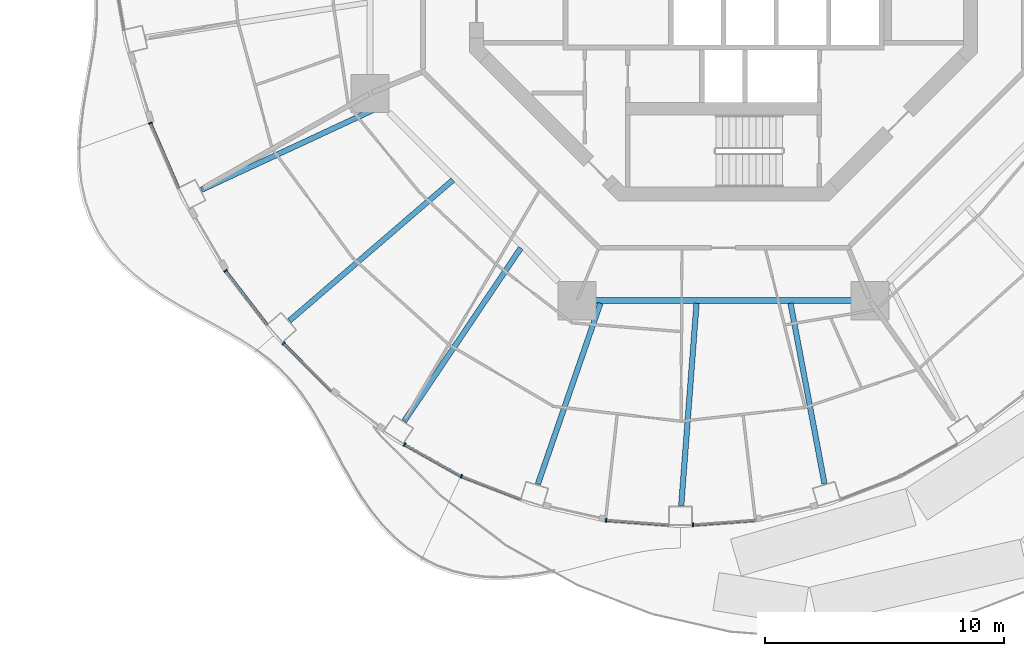
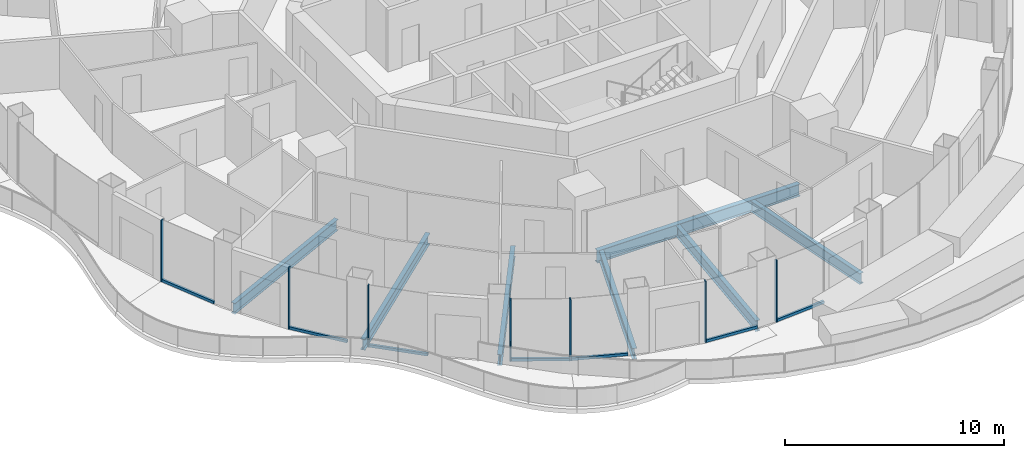
# One storey, part 2 of 18: 14 members, 7 beams, 7 elements without a shape of their own.
"""IFC4 building model written with IfcOpenShell, lengths in metres."""

from ifc_helpers import new_model, si_unit, direction, frame, origin, origin_2d, place, context, subcontext, project, spatial, rectangle, i_section, extrude, material, layer, layer_set, material_profile, profile_set, type_object, element, aggregate, save


model = new_model("IFC4")

# Units and contexts
model_context = context("Model", 3, precision=1e-05, world=origin(), true_north=direction((0.0, 1.0)))
body_context = subcontext(model_context, "Body", "Model", "MODEL_VIEW")
ifc_project = project(units=[si_unit("LENGTHUNIT", "METRE"), si_unit("AREAUNIT", "SQUARE_METRE"), si_unit("VOLUMEUNIT", "CUBIC_METRE"), si_unit("PLANEANGLEUNIT", "RADIAN"), si_unit("MASSUNIT", "GRAM", prefix="KILO")], contexts=[model_context])

# Site, building, storey
site_placement = place(None, origin())
site = spatial("IfcSite", under=ifc_project, at=site_placement, CompositionType="ELEMENT")
building_placement = place(site_placement, origin())
building = spatial("IfcBuilding", under=site, at=building_placement, Name="Nagisa Residences", CompositionType="ELEMENT")
storey_placement = place(building_placement, frame((0.0, 0.0, 212.199951171875)))
storey = spatial("IfcBuildingStorey", under=building, at=storey_placement, Name="L53", CompositionType="ELEMENT", Elevation=212.199951171875)

# Curtain wall, member
ifc_material_1 = material(Name="Concrete-coloured aluminium curtain wall system", Category="concrete")
ifc_layer = layer(ifc_material_1, 0.159912109375)
ifc_layer_set = layer_set([ifc_layer], Name="CW1 CURTAIN WALL")
curtain_wall_type = type_object("IfcCurtainWallType", Name="CW1 CURTAIN WALL", PredefinedType="NOTDEFINED", material=ifc_layer_set)
curtain_wall_1_placement = place(storey_placement, origin())
curtain_wall_1 = element("IfcCurtainWall", 1, at=curtain_wall_1_placement, inside=storey, type_object=curtain_wall_type, Name="cw:CW1:L53:27", PredefinedType="NOTDEFINED")
ifc_material_2 = material(Name="Concrete-coloured aluminium", Category="concrete")
ifc_material_profile_1 = material_profile(ifc_material_2, rectangle(XDim=0.159912109375, YDim=0.06005859375, at=origin_2d()), Name="CW1 MULLION 160x60")
ifc_profile_set_1 = profile_set([ifc_material_profile_1], Name="Concrete-coloured aluminium")
member_type_1 = type_object("IfcMemberType", Name="CW1 MULLION 160x60", PredefinedType="MULLION", material=ifc_profile_set_1)
member_1_placement = place(storey_placement, frame((-23.952392578125, -7.359619140625, 0.0), z_axis=(0.0, 0.0, 1.0), x_axis=(0.917543276295, 0.397635934147, 0.0)))
member_1 = element("IfcMember", 2, at=member_1_placement, type_object=member_type_1, Name="CW1 mullion", PredefinedType="MULLION", context=body_context, shape_type="SweptSolid", body=[
    extrude(rectangle(XDim=0.159912109375, YDim=0.06005859375, at=origin_2d()), origin(), (0.0, 0.0, 1.0), 3.43994140625),
])

curtain_wall_2_placement = place(storey_placement, origin())
curtain_wall_2 = element("IfcCurtainWall", 3, at=curtain_wall_2_placement, inside=storey, type_object=curtain_wall_type, Name="cw:CW1:L53:29", PredefinedType="NOTDEFINED")
member_2_placement = place(storey_placement, frame((-20.814453125, -13.53125, 0.0), z_axis=(0.0, 0.0, 1.0), x_axis=(0.792070340816, 0.610429828235, 0.0)))
member_2 = element("IfcMember", 4, at=member_2_placement, type_object=member_type_1, Name="CW1 mullion", PredefinedType="MULLION", context=body_context, shape_type="SweptSolid", body=[
    extrude(rectangle(XDim=0.159912109375, YDim=0.06005859375, at=origin_2d()), origin(), (0.0, 0.0, 1.0), 3.43994140625),
])

curtain_wall_3_placement = place(storey_placement, origin())
curtain_wall_3 = element("IfcCurtainWall", 5, at=curtain_wall_3_placement, inside=storey, type_object=curtain_wall_type, Name="cw:CW1:L53:30", PredefinedType="NOTDEFINED")
member_3_placement = place(storey_placement, frame((-18.388427734375, -16.567626953125, 0.0), z_axis=(0.0, 0.0, 1.0), x_axis=(0.706376885714, 0.707835924016, 0.0)))
member_3 = element("IfcMember", 6, at=member_3_placement, type_object=member_type_1, Name="CW1 mullion", PredefinedType="MULLION", context=body_context, shape_type="SweptSolid", body=[
    extrude(rectangle(XDim=0.159912109375, YDim=0.06005859375, at=origin_2d()), origin(), (0.0, 0.0, 1.0), 3.43994140625),
])

curtain_wall_4_placement = place(storey_placement, origin())
curtain_wall_4 = element("IfcCurtainWall", 7, at=curtain_wall_4_placement, inside=storey, type_object=curtain_wall_type, Name="cw:CW1:L53:32", PredefinedType="NOTDEFINED")
member_4_placement = place(storey_placement, frame((-13.333740234375, -20.792236328125, 0.0), z_axis=(0.0, 0.0, 1.0), x_axis=(0.489376918501, 0.872072377523, 0.0)))
member_4 = element("IfcMember", 8, at=member_4_placement, type_object=member_type_1, Name="CW1 mullion", PredefinedType="MULLION", context=body_context, shape_type="SweptSolid", body=[
    extrude(rectangle(XDim=0.159912109375, YDim=0.06005859375, at=origin_2d()), origin(), (0.0, 0.0, 1.0), 3.43994140625),
])

curtain_wall_5_placement = place(storey_placement, origin())
curtain_wall_5 = element("IfcCurtainWall", 9, at=curtain_wall_5_placement, inside=storey, type_object=curtain_wall_type, Name="cw:CW1:L53:33", PredefinedType="NOTDEFINED")
member_5_placement = place(storey_placement, frame((-10.954345703125, -22.12353515625, 0.0), z_axis=(0.0, 0.0, 1.0), x_axis=(0.360327770268, 0.932825759707, 0.0)))
member_5 = element("IfcMember", 10, at=member_5_placement, type_object=member_type_1, Name="CW1 mullion", PredefinedType="MULLION", context=body_context, shape_type="SweptSolid", body=[
    extrude(rectangle(XDim=0.159912109375, YDim=0.06005859375, at=origin_2d()), origin(), (0.0, 0.0, 1.0), 3.43994140625),
])

curtain_wall_6_placement = place(storey_placement, origin())
curtain_wall_6 = element("IfcCurtainWall", 11, at=curtain_wall_6_placement, inside=storey, type_object=curtain_wall_type, Name="cw:CW1:L53:35", PredefinedType="NOTDEFINED")
member_6_placement = place(storey_placement, frame((-4.906005859375, -23.96044921875, 0.0), z_axis=(0.0, 0.0, 1.0), x_axis=(0.074377355493, 0.997230168512, 0.0)))
member_6 = element("IfcMember", 12, at=member_6_placement, type_object=member_type_1, Name="CW1 mullion", PredefinedType="MULLION", context=body_context, shape_type="SweptSolid", body=[
    extrude(rectangle(XDim=0.159912109375, YDim=0.06005859375, at=origin_2d()), origin(), (0.0, 0.0, 1.0), 3.43994140625),
])

curtain_wall_7_placement = place(storey_placement, origin())
curtain_wall_7 = element("IfcCurtainWall", 13, at=curtain_wall_7_placement, inside=storey, type_object=curtain_wall_type, Name="cw:CW1:L53:36", PredefinedType="NOTDEFINED")
member_7_placement = place(storey_placement, frame((-1.27734375, -24.153076171875, 0.0), z_axis=(0.0, 0.0, 1.0), x_axis=(-0.074377355493, 0.997230168512, 0.0)))
member_7 = element("IfcMember", 14, at=member_7_placement, type_object=member_type_1, Name="CW1 mullion", PredefinedType="MULLION", context=body_context, shape_type="SweptSolid", body=[
    extrude(rectangle(XDim=0.159912109375, YDim=0.06005859375, at=origin_2d()), origin(), (0.0, 0.0, 1.0), 3.43994140625),
])

# Member
ifc_material_3 = material(Name="Concrete-coloured aluminium", Category="concrete")
ifc_material_profile_2 = material_profile(ifc_material_3, rectangle(XDim=0.1201171875, YDim=0.14990234375, at=origin_2d()), Name="CW1 TRANSOM 120x150")
ifc_profile_set_2 = profile_set([ifc_material_profile_2], Name="Concrete-coloured aluminium")
member_type_2 = type_object("IfcMemberType", Name="CW1 TRANSOM 120x150", PredefinedType="USERDEFINED", material=ifc_profile_set_2)
member_8_placement = place(storey_placement, frame((-23.96435546875, -7.332275390625, 0.074951171875), z_axis=(0.397616567135, -0.917551669139, 0.0), x_axis=(0.917551669139, 0.397616567135, 0.0)))
member_8 = element("IfcMember", 15, at=member_8_placement, type_object=member_type_2, Name="CW1 transom", ObjectType="TRANSOM", PredefinedType="USERDEFINED", context=body_context, shape_type="SweptSolid", body=[
    extrude(rectangle(XDim=0.1201171875, YDim=0.14990234375, at=origin_2d()), origin(), (0.0, 0.0, 1.0), 3.001953125),
])

aggregate(curtain_wall_1, [member_1, member_8])

member_9_placement = place(storey_placement, frame((-20.832763671875, -13.507568359375, 0.074951171875), z_axis=(0.610438565676, -0.792063607001, 0.0), x_axis=(0.792063607001, 0.610438565676, 0.0)))
member_9 = element("IfcMember", 16, at=member_9_placement, type_object=member_type_2, Name="CW1 transom", ObjectType="TRANSOM", PredefinedType="USERDEFINED", context=body_context, shape_type="SweptSolid", body=[
    extrude(rectangle(XDim=0.1201171875, YDim=0.14990234375, at=origin_2d()), origin(), (0.0, 0.0, 1.0), 2.90087890625),
])

aggregate(curtain_wall_2, [member_2, member_9])

member_10_placement = place(storey_placement, frame((-18.40966796875, -16.546630859375, 0.074951171875), z_axis=(0.707836044127, -0.706376765356, 0.0), x_axis=(0.706376765356, 0.707836044127, 0.0)))
member_10 = element("IfcMember", 17, at=member_10_placement, type_object=member_type_2, Name="CW1 transom", ObjectType="TRANSOM", PredefinedType="USERDEFINED", context=body_context, shape_type="SweptSolid", body=[
    extrude(rectangle(XDim=0.1201171875, YDim=0.14990234375, at=origin_2d()), origin(), (0.0, 0.0, 1.0), 2.84423828125),
])

aggregate(curtain_wall_3, [member_3, member_10])

member_11_placement = place(storey_placement, frame((-13.35986328125, -20.777587890625, 0.074951171875), z_axis=(0.872063230277, -0.489393218586, 0.0), x_axis=(0.489393218586, 0.872063230277, 0.0)))
member_11 = element("IfcMember", 18, at=member_11_placement, type_object=member_type_2, Name="CW1 transom", ObjectType="TRANSOM", PredefinedType="USERDEFINED", context=body_context, shape_type="SweptSolid", body=[
    extrude(rectangle(XDim=0.1201171875, YDim=0.14990234375, at=origin_2d()), origin(), (0.0, 0.0, 1.0), 2.73828125),
])

aggregate(curtain_wall_4, [member_4, member_11])

member_12_placement = place(storey_placement, frame((-10.982421875, -22.11279296875, 0.074951171875), z_axis=(0.932838255163, -0.360295420044, 0.0), x_axis=(0.360295420044, 0.932838255163, 0.0)))
member_12 = element("IfcMember", 19, at=member_12_placement, type_object=member_type_2, Name="CW1 transom", ObjectType="TRANSOM", PredefinedType="USERDEFINED", context=body_context, shape_type="SweptSolid", body=[
    extrude(rectangle(XDim=0.1201171875, YDim=0.14990234375, at=origin_2d()), origin(), (0.0, 0.0, 1.0), 2.6962890625),
])

aggregate(curtain_wall_5, [member_5, member_12])

member_13_placement = place(storey_placement, frame((-4.935791015625, -23.958251953125, 0.074951171875), z_axis=(0.997233213085, -0.074336523458, 0.0), x_axis=(0.074336523458, 0.997233213085, 0.0)))
member_13 = element("IfcMember", 20, at=member_13_placement, type_object=member_type_2, Name="CW1 transom", ObjectType="TRANSOM", PredefinedType="USERDEFINED", context=body_context, shape_type="SweptSolid", body=[
    extrude(rectangle(XDim=0.1201171875, YDim=0.14990234375, at=origin_2d()), origin(), (0.0, 0.0, 1.0), 2.650390625),
])

aggregate(curtain_wall_6, [member_6, member_13])

member_14_placement = place(storey_placement, frame((-1.307373046875, -24.1552734375, 0.074951171875), z_axis=(0.997233213085, 0.074336523458, 0.0), x_axis=(-0.074336523458, 0.997233213085, 0.0)))
member_14 = element("IfcMember", 21, at=member_14_placement, type_object=member_type_2, Name="CW1 transom", ObjectType="TRANSOM", PredefinedType="USERDEFINED", context=body_context, shape_type="SweptSolid", body=[
    extrude(rectangle(XDim=0.1201171875, YDim=0.14990234375, at=origin_2d()), origin(), (0.0, 0.0, 1.0), 2.650390625),
])

aggregate(curtain_wall_7, [member_7, member_14])

# Beams
ifc_material_4 = material(Name="Steel ASTM A572 Gr 50", Category="steel")
ifc_material_profile_3 = material_profile(ifc_material_4, i_section(OverallWidth=0.2529296875, OverallDepth=0.677978515625, WebThickness=0.01171875, FlangeThickness=0.016357421875, at=origin_2d()), Name="W690x125")
ifc_profile_set_3 = profile_set([ifc_material_profile_3], Name="Steel ASTM A572 Gr 50")
beam_type_1 = type_object("IfcBeamType", Name="Inner ring beam W690x125", PredefinedType="BEAM", material=ifc_profile_set_3)
beam_1_placement = place(storey_placement, frame((-5.343017578125, -14.781982421875, -0.598876953125), z_axis=(1.0, 0.0, 0.0), x_axis=(0.0, 1.0, 0.0)))
element("IfcBeam", 22, at=beam_1_placement, inside=storey, type_object=beam_type_1, Name="beam:L53:ib6", PredefinedType="BEAM", context=body_context, shape_type="SweptSolid", body=[
    extrude(i_section(OverallWidth=0.2529296875, OverallDepth=0.677978515625, WebThickness=0.01171875, FlangeThickness=0.016357421875, at=origin_2d()), origin(), (0.0, 0.0, 1.0), 10.68603515625),
])
ifc_material_5 = material(Name="Steel ASTM A572 Gr 50", Category="steel")
ifc_material_profile_4 = material_profile(ifc_material_5, i_section(OverallWidth=0.22802734375, OverallDepth=0.60302734375, WebThickness=0.010498046875, FlangeThickness=0.014892578125, at=origin_2d()), Name="W610x101")
ifc_profile_set_4 = profile_set([ifc_material_profile_4], Name="Steel ASTM A572 Gr 50")
beam_type_2 = type_object("IfcBeamType", Name="Radial beam W610x101", PredefinedType="BEAM", material=ifc_profile_set_4)
beam_2_placement = place(storey_placement, frame((-21.822021484375, -10.14599609375, -0.5615234375), z_axis=(0.906776085947, 0.421612535339, 0.0), x_axis=(-0.421612535339, 0.906776085947, 0.0)))
element("IfcBeam", 23, at=beam_2_placement, inside=storey, type_object=beam_type_2, Name="beam:L53:rb15", PredefinedType="BEAM", context=body_context, shape_type="SweptSolid", body=[
    extrude(i_section(OverallWidth=0.22802734375, OverallDepth=0.60302734375, WebThickness=0.010498046875, FlangeThickness=0.014892578125, at=origin_2d()), origin(), (0.0, 0.0, 1.0), 8.21337890625),
])
beam_3_placement = place(storey_placement, frame((-18.140625, -15.615966796875, -0.5615234375), z_axis=(0.757877142518, 0.652397299848, 0.0), x_axis=(-0.652397299848, 0.757877142518, 0.0)))
element("IfcBeam", 24, at=beam_3_placement, inside=storey, type_object=beam_type_2, Name="beam:L53:rb16", PredefinedType="BEAM", context=body_context, shape_type="SweptSolid", body=[
    extrude(i_section(OverallWidth=0.22802734375, OverallDepth=0.60302734375, WebThickness=0.010498046875, FlangeThickness=0.014892578125, at=origin_2d()), origin(), (0.0, 0.0, 1.0), 9.006103515625),
])
beam_4_placement = place(storey_placement, frame((-13.3447265625, -19.81298828125, -0.5615234375), z_axis=(0.558629473246, 0.829417332602, 0.0), x_axis=(-0.829417332602, 0.558629473246, 0.0)))
element("IfcBeam", 25, at=beam_4_placement, inside=storey, type_object=beam_type_2, Name="beam:L53:rb17", PredefinedType="BEAM", context=body_context, shape_type="SweptSolid", body=[
    extrude(i_section(OverallWidth=0.22802734375, OverallDepth=0.60302734375, WebThickness=0.010498046875, FlangeThickness=0.014892578125, at=origin_2d()), origin(), (0.0, 0.0, 1.0), 8.718505859375),
])
beam_5_placement = place(storey_placement, frame((-7.759765625, -22.449462890625, -0.5615234375), z_axis=(0.326683858653, 0.945133671232, 0.0), x_axis=(-0.945133671232, 0.326683858653, 0.0)))
element("IfcBeam", 26, at=beam_5_placement, inside=storey, type_object=beam_type_2, Name="beam:L53:rb18", PredefinedType="BEAM", context=body_context, shape_type="SweptSolid", body=[
    extrude(i_section(OverallWidth=0.22802734375, OverallDepth=0.60302734375, WebThickness=0.010498046875, FlangeThickness=0.014892578125, at=origin_2d()), origin(), (0.0, 0.0, 1.0), 7.998779296875),
])
beam_6_placement = place(storey_placement, frame((-1.767333984375, -23.34228515625, -0.5615234375), z_axis=(0.075478639889, 0.997147418851, 0.0), x_axis=(-0.997147418851, 0.075478639889, 0.0)))
element("IfcBeam", 27, at=beam_6_placement, inside=storey, type_object=beam_type_2, Name="beam:L53:rb19", PredefinedType="BEAM", context=body_context, shape_type="SweptSolid", body=[
    extrude(i_section(OverallWidth=0.22802734375, OverallDepth=0.60302734375, WebThickness=0.010498046875, FlangeThickness=0.014892578125, at=origin_2d()), origin(), (0.0, 0.0, 1.0), 8.477783203125),
])
beam_7_placement = place(storey_placement, frame((4.220458984375, -22.4306640625, -0.5615234375), z_axis=(-0.184931968938, 0.982751325038, 0.0), x_axis=(-0.982751325038, -0.184931968938, 0.0)))
element("IfcBeam", 28, at=beam_7_placement, inside=storey, type_object=beam_type_2, Name="beam:L53:rb20", PredefinedType="BEAM", context=body_context, shape_type="SweptSolid", body=[
    extrude(i_section(OverallWidth=0.22802734375, OverallDepth=0.60302734375, WebThickness=0.010498046875, FlangeThickness=0.014892578125, at=origin_2d()), origin(), (0.0, 0.0, 1.0), 7.674072265625),
])

save(model, "model.ifc")
